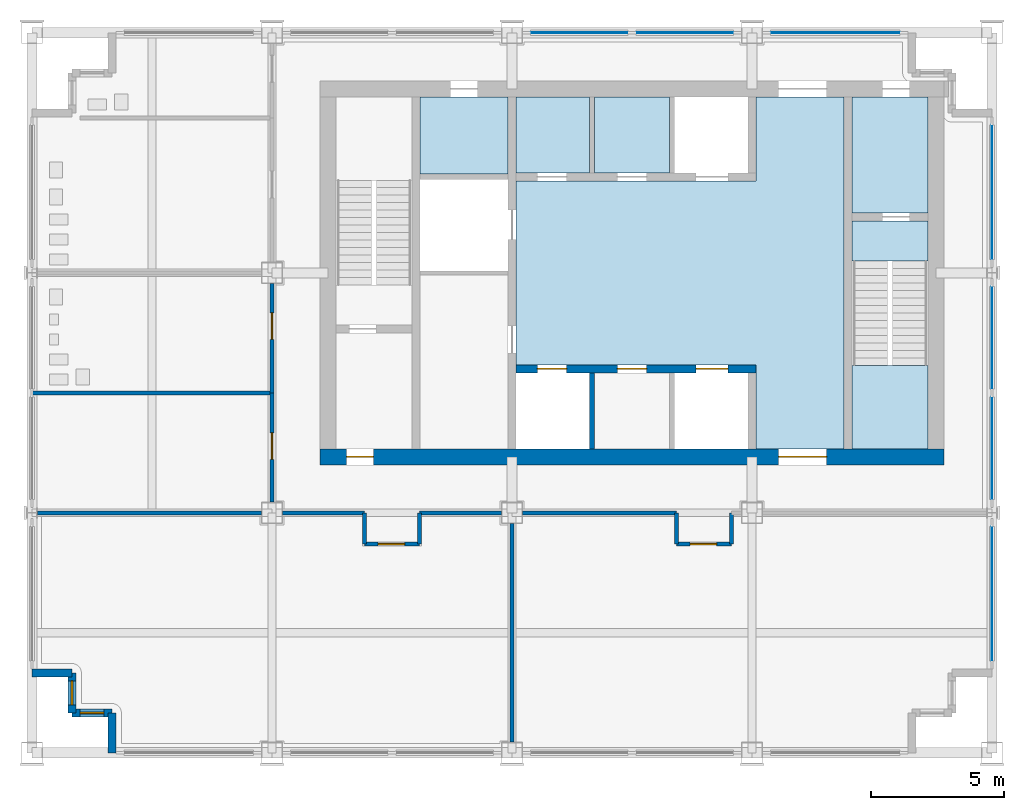
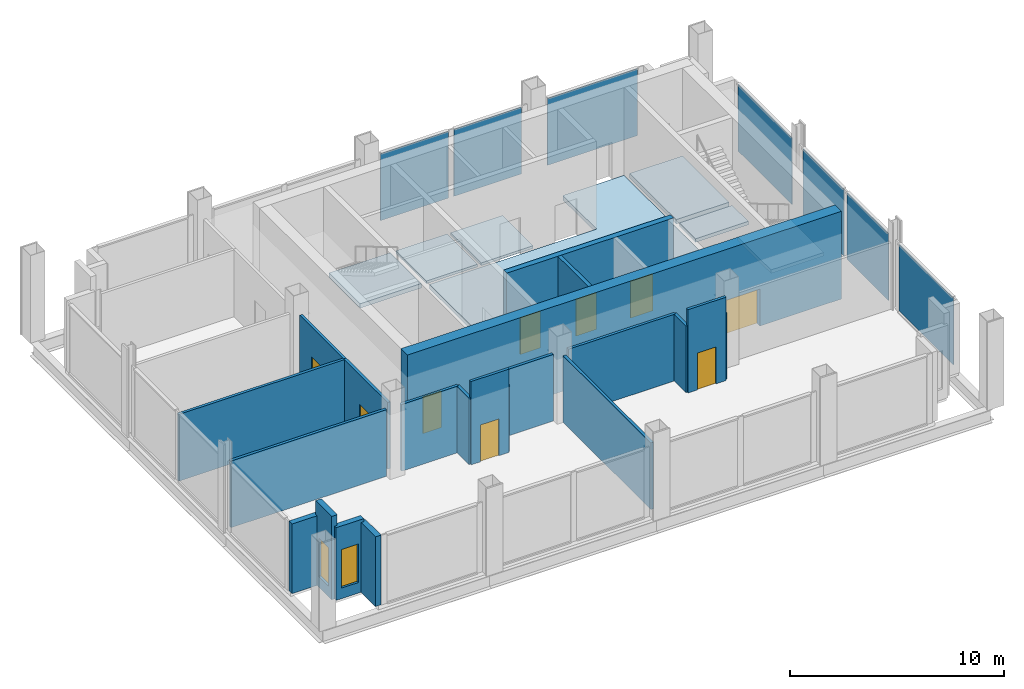
# One storey, part 3 of 7: 21 walls, 9 doors, 7 plates, 7 slabs, 2 windows, 11 openings, 6 elements without a shape of their own.
"""IFC4 building model written with IfcOpenShell, lengths in metres."""

import ifcopenshell
import ifcopenshell.guid

model = None  # the IFC model being written
_history = None  # IfcOwnerHistory: only IFC2X3 demands one
_inside = {}  # id of a spatial element -> (the spatial element, [elements in it])
_under = {}  # id of a project, library or spatial element -> (it, [spatial elements below it])
_declared = {}  # id of a project -> (the project, [libraries it declares])
_typed = {}  # id of a type object -> (the type object, [elements of that type])
_made_of = {}  # id of a material, layer set ... -> (it, [elements and type objects made of it])


def new_model(schema):
    """Start an empty IFC model of exactly this schema.

    Asked for "IFC4X3", IfcOpenShell would pick the latest addendum, in which some entities
    have other attributes; the version numbers below select the first issue.
    IFC2X3 requires an IfcOwnerHistory on every rooted entity: one is made here for all.
    """
    global model, _history
    if schema == "IFC4X3":
        model = ifcopenshell.file(schema_version=(4, 3, 0, 0))
    else:
        model = ifcopenshell.file(schema=schema)
    _inside.clear()
    _under.clear()
    _declared.clear()
    _typed.clear()
    _made_of.clear()
    _history = None
    if model.schema == "IFC2X3":
        org = make("IfcOrganization", Name="unknown")
        user = make(
            "IfcPersonAndOrganization",
            ThePerson=make("IfcPerson", FamilyName="unknown"),
            TheOrganization=org,
        )
        app = make(
            "IfcApplication",
            ApplicationDeveloper=org,
            Version="unknown",
            ApplicationFullName="unknown",
            ApplicationIdentifier="unknown",
        )
        _history = make(
            "IfcOwnerHistory",
            OwningUser=user,
            OwningApplication=app,
            ChangeAction="ADDED",
            CreationDate=0,
        )
    return model


def make(cls, **values):
    """One entity of the class cls with the attributes given. An attribute that is None is left unset."""
    return model.create_entity(
        cls, **{name: value for name, value in values.items() if value is not None}
    )


def rooted(cls, **values):
    """An entity with a GlobalId (a new one), such as an element, a storey or a relation."""
    return make(cls, GlobalId=ifcopenshell.guid.new(), OwnerHistory=_history, **values)


def si_unit(unit_type, name, prefix=None):
    """IfcSIUnit, for example si_unit("LENGTHUNIT", "METRE", prefix="MILLI")."""
    return make("IfcSIUnit", UnitType=unit_type, Prefix=prefix, Name=name)


def assignment(units):
    """IfcUnitAssignment: the units of a project."""
    return None if units is None else make("IfcUnitAssignment", Units=units)


def point(xyz):
    """IfcCartesianPoint."""
    return None if xyz is None else make("IfcCartesianPoint", Coordinates=xyz)


def direction(xyz):
    """IfcDirection."""
    return None if xyz is None else make("IfcDirection", DirectionRatios=xyz)


def frame(location, z_axis=None, x_axis=None):
    """IfcAxis2Placement3D, a coordinate frame: its origin and axes. An axis left out is left unset."""
    return make(
        "IfcAxis2Placement3D",
        Location=point(location),
        Axis=direction(z_axis),
        RefDirection=direction(x_axis),
    )


def frame_2d(location, x_axis=None):
    """IfcAxis2Placement2D, a coordinate frame in the plane: its origin and x axis."""
    return make(
        "IfcAxis2Placement2D", Location=point(location), RefDirection=direction(x_axis)
    )


def origin():
    """The frame at (0, 0, 0) with its axes left unset."""
    return frame((0.0, 0.0, 0.0))


def origin_2d():
    """The frame at (0, 0) in the plane with its x axis left unset."""
    return frame_2d((0.0, 0.0))


def place(relative_to, where):
    """IfcLocalPlacement: puts the frame where relative to a parent placement (None: the world)."""
    return make(
        "IfcLocalPlacement", PlacementRelTo=relative_to, RelativePlacement=where
    )


def context(
    kind, dimensions, precision=None, world=None, true_north=None, identifier=None
):
    """IfcGeometricRepresentationContext, for example the 3D "Model" context."""
    return make(
        "IfcGeometricRepresentationContext",
        ContextIdentifier=identifier,
        ContextType=kind,
        CoordinateSpaceDimension=dimensions,
        Precision=precision,
        WorldCoordinateSystem=world,
        TrueNorth=true_north,
    )


def subcontext(parent, identifier, kind, view, scale=None):
    """IfcGeometricRepresentationSubContext, for example "Body" below "Model"."""
    return make(
        "IfcGeometricRepresentationSubContext",
        ContextIdentifier=identifier,
        ContextType=kind,
        ParentContext=parent,
        TargetScale=scale,
        TargetView=view,
    )


def project(units=None, contexts=None):
    """IfcProject with its units and contexts."""
    return rooted(
        "IfcProject",
        Name="project",
        RepresentationContexts=contexts,
        UnitsInContext=assignment(units),
    )


def spatial(cls, under=None, at=None, **own):
    """A site, building, storey or space (cls), placed at a placement, below another one or the project."""
    s = rooted(cls, ObjectPlacement=at, **own)
    if under is not None:
        _under.setdefault(under.id(), (under, []))[1].append(s)
    return s


def polyline(points):
    """IfcPolyline through the points."""
    return make("IfcPolyline", Points=[point(p) for p in points])


def profile(cls, at=None, kind="AREA", **sizes):
    """A parametric profile (cls). Its sizes go by their IFC names, for example OverallWidth=200.0."""
    return make(cls, ProfileType=kind, Position=at, **sizes)


def rectangle(**sizes):
    """IfcRectangleProfileDef."""
    return profile("IfcRectangleProfileDef", **sizes)


def outline(outer, holes=None, kind="AREA"):
    """IfcArbitraryClosedProfileDef: a profile drawn as a closed curve; with holes, ...WithVoids."""
    if holes is None:
        return make("IfcArbitraryClosedProfileDef", ProfileType=kind, OuterCurve=outer)
    return make(
        "IfcArbitraryProfileDefWithVoids",
        ProfileType=kind,
        OuterCurve=outer,
        InnerCurves=holes,
    )


def extrude(swept, where, along, depth):
    """IfcExtrudedAreaSolid: the profile swept, set in the frame where, extruded along a direction by depth."""
    return make(
        "IfcExtrudedAreaSolid",
        SweptArea=swept,
        Position=where,
        ExtrudedDirection=direction(along),
        Depth=depth,
    )


def shape(context_of_items, identifier, shape_type, items):
    """IfcShapeRepresentation: the items that make up one representation, for example the "Body"."""
    return make(
        "IfcShapeRepresentation",
        ContextOfItems=context_of_items,
        RepresentationIdentifier=identifier,
        RepresentationType=shape_type,
        Items=items,
    )


def material(Name=None, Category=None):
    """IfcMaterial."""
    return make("IfcMaterial", Name=Name, Category=Category)


def layer(
    of_material, thickness, ventilated=None, Name=None, Category=None, Priority=None
):
    """IfcMaterialLayer: one layer of a wall or slab, of a material (None: an air gap)."""
    return make(
        "IfcMaterialLayer",
        Material=of_material,
        LayerThickness=thickness,
        IsVentilated=ventilated,
        Name=Name,
        Category=Category,
        Priority=Priority,
    )


def layer_set(layers, Name=None):
    """IfcMaterialLayerSet."""
    return make("IfcMaterialLayerSet", MaterialLayers=layers, LayerSetName=Name)


def made_of(thing, what):
    """Note that an element or type object is made of a material, layer set ...; save() writes the relation."""
    if what is not None:
        _made_of.setdefault(what.id(), (what, []))[1].append(thing)
    return thing


def type_object(cls, material=None, **own):
    """A type object (cls), such as IfcWallType, which elements share."""
    return made_of(rooted(cls, **own), material)


def element(
    cls,
    number,
    at=None,
    inside=None,
    cuts=None,
    type_object=None,
    material=None,
    context=None,
    identifier="Body",
    shape_type=None,
    held_by="IfcProductDefinitionShape",
    body=None,
    shapes=None,
    **own,
):
    """One element of the class cls, such as IfcWall. Its Tag is "e" and its number.

    at: its placement. inside: the storey or other place that contains it. cuts: it is an
    opening in that element (IfcRelVoidsElement). A single representation is given by context,
    identifier, shape_type and body (its items); several are given by shapes. held_by: the class
    of the entity that holds the representations. save() writes the other relations.
    """
    e = rooted(cls, Tag="e%d" % number, ObjectPlacement=at, **own)
    if body is not None:
        shapes = [shape(context, identifier, shape_type, body)]
    if shapes is not None:
        e.Representation = make(held_by, Representations=shapes)
    if inside is not None:
        _inside.setdefault(inside.id(), (inside, []))[1].append(e)
    if cuts is not None:
        rooted(
            "IfcRelVoidsElement", RelatingBuildingElement=cuts, RelatedOpeningElement=e
        )
    if type_object is not None:
        _typed.setdefault(type_object.id(), (type_object, []))[1].append(e)
    return made_of(e, material)


def fill(opening, filler):
    """IfcRelFillsElement: the door or window that sits in an opening."""
    return rooted(
        "IfcRelFillsElement",
        RelatingOpeningElement=opening,
        RelatedBuildingElement=filler,
    )


def aggregate(whole, parts):
    """IfcRelAggregates: a whole, such as a stair, and the parts it consists of."""
    return rooted("IfcRelAggregates", RelatingObject=whole, RelatedObjects=parts)


def save(model, path):
    """Write the relations noted so far, then the file.

    IfcRelAggregates (storeys below a building ...), IfcRelContainedInSpatialStructure (elements
    in a storey), IfcRelDefinesByType, IfcRelAssociatesMaterial and IfcRelDeclares: one each for
    every whole, place, type object, material and project.
    """
    for whole, parts in _under.values():
        aggregate(whole, parts)
    for where, things in _inside.values():
        rooted(
            "IfcRelContainedInSpatialStructure",
            RelatedElements=things,
            RelatingStructure=where,
        )
    for kind, things in _typed.values():
        rooted("IfcRelDefinesByType", RelatedObjects=things, RelatingType=kind)
    for what, things in _made_of.values():
        rooted("IfcRelAssociatesMaterial", RelatedObjects=things, RelatingMaterial=what)
    for by, libraries in _declared.values():
        rooted("IfcRelDeclares", RelatingContext=by, RelatedDefinitions=libraries)
    model.write(path)


model = new_model("IFC4")

# Units and contexts
model_context = context("Model", 3, precision=1e-05, world=origin(), true_north=direction((0.0, 1.0)))
body_context = subcontext(model_context, "Body", "Model", "MODEL_VIEW")
ifc_project = project(units=[si_unit("LENGTHUNIT", "METRE"), si_unit("AREAUNIT", "SQUARE_METRE"), si_unit("VOLUMEUNIT", "CUBIC_METRE"), si_unit("PLANEANGLEUNIT", "RADIAN"), si_unit("MASSUNIT", "GRAM", prefix="KILO")], contexts=[model_context])

# Site, building, storey
site_placement = place(None, origin())
site = spatial("IfcSite", under=ifc_project, at=site_placement, CompositionType="ELEMENT")
building_placement = place(site_placement, origin())
building = spatial("IfcBuilding", under=site, at=building_placement, Name="Loomwork Tower", CompositionType="ELEMENT")
storey_placement = place(building_placement, frame((0.0, 0.0, 269.800048828125)))
storey = spatial("IfcBuildingStorey", under=building, at=storey_placement, Name="L74", CompositionType="ELEMENT", Elevation=269.800048828125)

# Slabs
ifc_material_1 = material(Name="Concrete 5000 psi (34 MPa) on composite metal deck", Category="concrete")
ifc_layer_1 = layer(ifc_material_1, 0.25)
ifc_layer_set_1 = layer_set([ifc_layer_1], Name="Floor slab 250")
slab_type_1 = type_object("IfcSlabType", Name="Floor slab 250", PredefinedType="FLOOR", material=ifc_layer_set_1)
slab_1_placement = place(storey_placement, frame((0.0, 0.0, -0.25)))
element("IfcSlab", 1, at=slab_1_placement, inside=storey, type_object=slab_type_1, Name="Floor slab L74", PredefinedType="FLOOR", context=body_context, shape_type="SweptSolid", body=[
    extrude(outline(polyline([(30.449951171875, 24.60009765625), (30.449951171875, 11.39990234375), (27.14990234375, 11.39990234375), (27.14990234375, 14.25), (27.14990234375, 14.550048828125), (18.14990234375, 14.550048828125), (18.14990234375, 21.449951171875), (27.14990234375, 21.449951171875), (27.14990234375, 21.75), (27.14990234375, 24.60009765625), (30.449951171875, 24.60009765625)])), origin(), (0.0, 0.0, 1.0), 0.25),
])
slab_2_placement = place(storey_placement, frame((0.0, 0.0, -0.25)))
element("IfcSlab", 2, at=slab_2_placement, inside=storey, type_object=slab_type_1, Name="Floor slab L74", PredefinedType="FLOOR", context=body_context, shape_type="SweptSolid", body=[
    extrude(outline(polyline([(33.60009765625, 20.25), (30.75, 20.25), (30.75, 24.60009765625), (33.60009765625, 24.60009765625), (33.60009765625, 20.25)])), origin(), (0.0, 0.0, 1.0), 0.25),
])
slab_3_placement = place(storey_placement, frame((0.0, 0.0, -0.25)))
element("IfcSlab", 3, at=slab_3_placement, inside=storey, type_object=slab_type_1, Name="Floor slab L74", PredefinedType="FLOOR", context=body_context, shape_type="SweptSolid", body=[
    extrude(outline(polyline([(14.550048828125, 21.699951171875), (14.550048828125, 24.60009765625), (17.85009765625, 24.60009765625), (17.85009765625, 21.699951171875), (14.550048828125, 21.699951171875)])), origin(), (0.0, 0.0, 1.0), 0.25),
])
ifc_material_2 = material(Name="Concrete 5000 psi (34 MPa) on composite metal deck", Category="concrete")
ifc_layer_2 = layer(ifc_material_2, 0.14990234375)
ifc_layer_set_2 = layer_set([ifc_layer_2], Name="Shaft infill floor 150")
slab_type_2 = type_object("IfcSlabType", Name="Shaft infill floor 150", PredefinedType="FLOOR", material=ifc_layer_set_2)
slab_4_placement = place(storey_placement, frame((0.0, 0.0, -0.150146484375)))
element("IfcSlab", 4, at=slab_4_placement, inside=storey, type_object=slab_type_2, Name="Shaft infill floor LS1 L74", PredefinedType="FLOOR", context=body_context, shape_type="SweptSolid", body=[
    extrude(outline(polyline([(18.14990234375, 21.75), (20.89990234375, 21.75), (20.89990234375, 24.60009765625), (18.14990234375, 24.60009765625), (18.14990234375, 21.75)])), origin(), (0.0, 0.0, 1.0), 0.150146484375),
])
slab_5_placement = place(storey_placement, frame((0.0, 0.0, -0.150146484375)))
element("IfcSlab", 5, at=slab_5_placement, inside=storey, type_object=slab_type_2, Name="Shaft infill floor LS2 L74", PredefinedType="FLOOR", context=body_context, shape_type="SweptSolid", body=[
    extrude(outline(polyline([(21.10009765625, 21.75), (23.89990234375, 21.75), (23.89990234375, 24.60009765625), (21.10009765625, 24.60009765625), (21.10009765625, 21.75)])), origin(), (0.0, 0.0, 1.0), 0.150146484375),
])

# Curtain wall, plates
ifc_material_3 = material(Name="Aluminium curtain wall frame", Category="aluminium")
curtain_wall_type = type_object("IfcCurtainWallType", Name="Sky bar glazing", PredefinedType="NOTDEFINED", material=ifc_material_3)
curtain_wall_1_placement = place(storey_placement, origin())
curtain_wall_1 = element("IfcCurtainWall", 6, at=curtain_wall_1_placement, inside=storey, type_object=curtain_wall_type, Name="Sky bar glazing cw/N-18", PredefinedType="NOTDEFINED")
ifc_material_4 = material(Name="Clear insulated glass", Category="glass")
ifc_layer_3 = layer(ifc_material_4, 0.031982421875)
ifc_layer_set_3 = layer_set([ifc_layer_3], Name="Sky bar glazing panel")
plate_type = type_object("IfcPlateType", Name="Sky bar glazing panel", PredefinedType="CURTAIN_PANEL", material=ifc_layer_set_3)
plate_1_placement = place(storey_placement, frame((24.47509765625, 27.0, 0.080078125), z_axis=(0.0, 0.0, 1.0), x_axis=(-1.0, 0.0, 0.0)))
plate_1 = element("IfcPlate", 7, at=plate_1_placement, type_object=plate_type, Name="CW5 panel 1.1", PredefinedType="CURTAIN_PANEL", context=body_context, shape_type="SweptSolid", body=[
    extrude(rectangle(XDim=3.64990234375, YDim=0.031982421875, at=origin_2d()), origin(), (0.0, 0.0, 1.0), 3.810302734375),
])
plate_2_placement = place(storey_placement, frame((20.52490234375, 27.0, 0.080078125), z_axis=(0.0, 0.0, 1.0), x_axis=(-1.0, 0.0, 0.0)))
plate_2 = element("IfcPlate", 8, at=plate_2_placement, type_object=plate_type, Name="CW5 panel 2.1", PredefinedType="CURTAIN_PANEL", context=body_context, shape_type="SweptSolid", body=[
    extrude(rectangle(XDim=3.64990234375, YDim=0.031982421875, at=origin_2d()), origin(), (0.0, 0.0, 1.0), 3.810302734375),
])
aggregate(curtain_wall_1, [plate_1, plate_2])

# Curtain wall, plate
curtain_wall_2_placement = place(storey_placement, origin())
curtain_wall_2 = element("IfcCurtainWall", 9, at=curtain_wall_2_placement, inside=storey, type_object=curtain_wall_type, Name="Sky bar glazing cw/N-27", PredefinedType="NOTDEFINED")
plate_3_placement = place(storey_placement, frame((30.125, 27.0, 0.080078125), z_axis=(0.0, 0.0, 1.0), x_axis=(-1.0, 0.0, 0.0)))
plate_3 = element("IfcPlate", 10, at=plate_3_placement, type_object=plate_type, Name="CW5 panel 1.1", PredefinedType="CURTAIN_PANEL", context=body_context, shape_type="SweptSolid", body=[
    extrude(rectangle(XDim=4.85009765625, YDim=0.031982421875, at=origin_2d()), origin(), (0.0, 0.0, 1.0), 3.810302734375),
])
aggregate(curtain_wall_2, [plate_3])

curtain_wall_3_placement = place(storey_placement, origin())
curtain_wall_3 = element("IfcCurtainWall", 11, at=curtain_wall_3_placement, inside=storey, type_object=curtain_wall_type, Name="Sky bar glazing cw/E-0", PredefinedType="NOTDEFINED")
plate_4_placement = place(storey_placement, frame((36.0, 5.97265625, 0.080078125), z_axis=(0.0, 0.0, 1.0), x_axis=(0.0, 1.0, 0.0)))
plate_4 = element("IfcPlate", 12, at=plate_4_placement, type_object=plate_type, Name="CW5 panel 1.1", PredefinedType="CURTAIN_PANEL", context=body_context, shape_type="SweptSolid", body=[
    extrude(rectangle(XDim=5.04541015625, YDim=0.031982421875, at=origin_2d()), origin(), (0.0, 0.0, 1.0), 3.810302734375),
])
aggregate(curtain_wall_3, [plate_4])

# Curtain wall, plates
curtain_wall_4_placement = place(storey_placement, origin())
curtain_wall_4 = element("IfcCurtainWall", 13, at=curtain_wall_4_placement, inside=storey, type_object=curtain_wall_type, Name="Sky bar glazing cw/E-9", PredefinedType="NOTDEFINED")
plate_5_placement = place(storey_placement, frame((36.0, 11.42724609375, 0.080078125), z_axis=(0.0, 0.0, 1.0), x_axis=(0.0, 1.0, 0.0)))
plate_5 = element("IfcPlate", 14, at=plate_5_placement, type_object=plate_type, Name="CW5 panel 1.1", PredefinedType="CURTAIN_PANEL", context=body_context, shape_type="SweptSolid", body=[
    extrude(rectangle(XDim=3.845458984375, YDim=0.031982421875, at=origin_2d()), origin(), (0.0, 0.0, 1.0), 3.810302734375),
])
plate_6_placement = place(storey_placement, frame((36.0, 15.57275390625, 0.080078125), z_axis=(0.0, 0.0, 1.0), x_axis=(0.0, 1.0, 0.0)))
plate_6 = element("IfcPlate", 15, at=plate_6_placement, type_object=plate_type, Name="CW5 panel 2.1", PredefinedType="CURTAIN_PANEL", context=body_context, shape_type="SweptSolid", body=[
    extrude(rectangle(XDim=3.845458984375, YDim=0.031982421875, at=origin_2d()), origin(), (0.0, 0.0, 1.0), 3.810302734375),
])
aggregate(curtain_wall_4, [plate_5, plate_6])

# Curtain wall, plate
curtain_wall_5_placement = place(storey_placement, origin())
curtain_wall_5 = element("IfcCurtainWall", 16, at=curtain_wall_5_placement, inside=storey, type_object=curtain_wall_type, Name="Sky bar glazing cw/E-18", PredefinedType="NOTDEFINED")
plate_7_placement = place(storey_placement, frame((36.0, 21.02734375, 0.080078125), z_axis=(0.0, 0.0, 1.0), x_axis=(0.0, 1.0, 0.0)))
plate_7 = element("IfcPlate", 17, at=plate_7_placement, type_object=plate_type, Name="CW5 panel 1.1", PredefinedType="CURTAIN_PANEL", context=body_context, shape_type="SweptSolid", body=[
    extrude(rectangle(XDim=5.04541015625, YDim=0.031982421875, at=origin_2d()), origin(), (0.0, 0.0, 1.0), 3.810302734375),
])
aggregate(curtain_wall_5, [plate_7])

# Stair, slabs
ifc_material_5 = material(Name="Concrete 5000 psi (34 MPa) precast stair", Category="concrete")
stair_type = type_object("IfcStairType", Name="Stair ST-B 30 risers 2850 wide", PredefinedType="HALF_TURN_STAIR", material=ifc_material_5)
stair_placement = place(storey_placement, origin())
stair = element("IfcStair", 18, at=stair_placement, inside=storey, type_object=stair_type, Name="Stair B L74", PredefinedType="HALF_TURN_STAIR")
ifc_material_6 = material(Name="Concrete 5000 psi (34 MPa)", Category="concrete")
ifc_layer_4 = layer(ifc_material_6, 0.199951171875)
ifc_layer_set_4 = layer_set([ifc_layer_4], Name="Stair landing 200")
slab_type_3 = type_object("IfcSlabType", Name="Stair landing 200", PredefinedType="LANDING", material=ifc_layer_set_4)
slab_6_placement = place(storey_placement, frame((0.0, 0.0, -0.199951171875)))
slab_6 = element("IfcSlab", 19, at=slab_6_placement, type_object=slab_type_3, Name="ST-B landing 1", PredefinedType="LANDING", context=body_context, shape_type="SweptSolid", body=[
    extrude(outline(polyline([(30.75, 18.449951171875), (33.60009765625, 18.449951171875), (33.60009765625, 19.949951171875), (30.75, 19.949951171875), (30.75, 18.449951171875)])), origin(), (0.0, 0.0, 1.0), 0.199951171875),
])
slab_7_placement = place(storey_placement, frame((0.0, 0.0, 2.300048828125)))
slab_7 = element("IfcSlab", 20, at=slab_7_placement, type_object=slab_type_3, Name="ST-B landing 2", PredefinedType="LANDING", context=body_context, shape_type="SweptSolid", body=[
    extrude(outline(polyline([(30.75, 11.39990234375), (33.60009765625, 11.39990234375), (33.60009765625, 14.530029296875), (30.75, 14.530029296875), (30.75, 11.39990234375)])), origin(), (0.0, 0.0, 1.0), 0.199951171875),
])
aggregate(stair, [slab_6, slab_7])

# Wall, openings, doors
ifc_material_7 = material(Name="Concrete 14000 psi (97 MPa)", Category="concrete")
ifc_layer_5 = layer(ifc_material_7, 0.300048828125)
ifc_layer_set_5 = layer_set([ifc_layer_5], Name="Core shear wall 300")
wall_type_1 = type_object("IfcWallType", Name="Core shear wall 300", PredefinedType="SHEAR", material=ifc_layer_set_5)
wall_1_placement = place(storey_placement, frame((18.14990234375, 14.39990234375, 0.0), z_axis=(0.0, 0.0, 1.0), x_axis=(1.0, 0.0, 0.0)))
wall_1 = element("IfcWall", 21, at=wall_1_placement, inside=storey, type_object=wall_type_1, Name="Lift front wall south L74", PredefinedType="SHEAR", context=body_context, shape_type="SweptSolid", body=[
    extrude(rectangle(XDim=9.0, YDim=0.300048828125, at=frame_2d((4.5, 0.0))), origin(), (0.0, 0.0, 1.0), 5.0),
])
opening_1_placement = place(wall_1_placement, frame((0.800048828125, 0.0, 0.0)))
opening_1 = element("IfcOpeningElement", 22, at=opening_1_placement, cuts=wall_1, Name="Opening LD1", PredefinedType="OPENING", context=body_context, shape_type="SweptSolid", body=[
    extrude(rectangle(XDim=1.10009765625, YDim=2.10009765625, at=frame_2d((0.550048828125, 1.050048828125))), frame((0.0, 0.159912109375, 0.0), z_axis=(0.0, -1.0, 0.0), x_axis=(1.0, 0.0, 0.0)), (0.0, 0.0, 1.0), 0.320068359375),
])
opening_2_placement = place(wall_1_placement, frame((6.75, 0.0, 0.0)))
opening_2 = element("IfcOpeningElement", 23, at=opening_2_placement, cuts=wall_1, Name="Opening LD2", PredefinedType="OPENING", context=body_context, shape_type="SweptSolid", body=[
    extrude(rectangle(XDim=1.199951171875, YDim=2.10009765625, at=frame_2d((0.60009765625, 1.050048828125))), frame((0.0, 0.159912109375, 0.0), z_axis=(0.0, -1.0, 0.0), x_axis=(1.0, 0.0, 0.0)), (0.0, 0.0, 1.0), 0.320068359375),
])
opening_3_placement = place(wall_1_placement, frame((3.800048828125, 0.0, 0.0)))
opening_3 = element("IfcOpeningElement", 24, at=opening_3_placement, cuts=wall_1, Name="Opening D17", PredefinedType="OPENING", context=body_context, shape_type="SweptSolid", body=[
    extrude(rectangle(XDim=1.10009765625, YDim=2.10009765625, at=frame_2d((0.550048828125, 1.050048828125))), frame((0.0, 0.159912109375, 0.0), z_axis=(0.0, -1.0, 0.0), x_axis=(1.0, 0.0, 0.0)), (0.0, 0.0, 1.0), 0.320068359375),
])
ifc_material_8 = material(Name="Hollow metal door and frame")
door_type_1 = type_object("IfcDoorType", Name="Lift landing door 1100", OperationType="SLIDING_TO_LEFT", PredefinedType="DOOR", material=ifc_material_8)
door_1_placement = place(opening_1_placement, origin())
door_1 = element("IfcDoor", 25, at=door_1_placement, inside=storey, type_object=door_type_1, Name="Lift landing door LC1", OperationType="SLIDING_TO_LEFT", OverallHeight=2.10009765625, OverallWidth=1.10009765625, PredefinedType="DOOR", context=body_context, shape_type="SweptSolid", body=[
    extrude(rectangle(XDim=1.10009765625, YDim=2.10009765625, at=frame_2d((0.550048828125, 1.050048828125))), frame((0.0, 0.02490234375, 0.0), z_axis=(0.0, -1.0, 0.0), x_axis=(1.0, 0.0, 0.0)), (0.0, 0.0, 1.0), 0.050048828125),
])
fill(opening_1, door_1)
ifc_material_9 = material(Name="Hollow metal door and frame")
door_type_2 = type_object("IfcDoorType", Name="Lift landing door 1200", OperationType="SLIDING_TO_LEFT", PredefinedType="DOOR", material=ifc_material_9)
door_2_placement = place(opening_2_placement, origin())
door_2 = element("IfcDoor", 26, at=door_2_placement, inside=storey, type_object=door_type_2, Name="Lift landing door LF1", OperationType="SLIDING_TO_LEFT", OverallHeight=2.10009765625, OverallWidth=1.199951171875, PredefinedType="DOOR", context=body_context, shape_type="SweptSolid", body=[
    extrude(rectangle(XDim=1.199951171875, YDim=2.10009765625, at=frame_2d((0.60009765625, 1.050048828125))), frame((0.0, 0.02490234375, 0.0), z_axis=(0.0, -1.0, 0.0), x_axis=(1.0, 0.0, 0.0)), (0.0, 0.0, 1.0), 0.050048828125),
])
fill(opening_2, door_2)
ifc_material_10 = material(Name="Hollow metal door and frame")
door_type_3 = type_object("IfcDoorType", Name="Service room door 1100", OperationType="SINGLE_SWING_LEFT", PredefinedType="DOOR", material=ifc_material_10)
door_3_placement = place(opening_3_placement, frame((1.10009765625, 0.0, 0.0), z_axis=(0.0, 0.0, 1.0), x_axis=(-1.0, 0.0, 0.0)))
door_3 = element("IfcDoor", 27, at=door_3_placement, inside=storey, type_object=door_type_3, Name="Linen and housekeeping store door L74", OperationType="SINGLE_SWING_RIGHT", OverallHeight=2.10009765625, OverallWidth=1.10009765625, PredefinedType="DOOR", context=body_context, shape_type="SweptSolid", body=[
    extrude(rectangle(XDim=1.10009765625, YDim=2.10009765625, at=frame_2d((0.550048828125, 1.050048828125))), frame((0.0, 0.02490234375, 0.0), z_axis=(0.0, -1.0, 0.0), x_axis=(1.0, 0.0, 0.0)), (0.0, 0.0, 1.0), 0.050048828125),
])
fill(opening_3, door_3)

ifc_material_11 = material(Name="Concrete 14000 psi (97 MPa)", Category="concrete")
ifc_layer_6 = layer(ifc_material_11, 0.60009765625)
ifc_layer_set_6 = layer_set([ifc_layer_6], Name="Core shear wall 600")
wall_type_2 = type_object("IfcWallType", Name="Core shear wall 600", PredefinedType="SHEAR", material=ifc_layer_set_6)
wall_2_placement = place(storey_placement, frame((10.800048828125, 11.10009765625, 0.0), z_axis=(0.0, 0.0, 1.0), x_axis=(1.0, 0.0, 0.0)))
wall_2 = element("IfcWall", 28, at=wall_2_placement, inside=storey, type_object=wall_type_2, Name="Core wall south L74", PredefinedType="SHEAR", context=body_context, shape_type="SweptSolid", body=[
    extrude(rectangle(XDim=23.39990234375, YDim=0.60009765625, at=frame_2d((11.699951171875, 0.0))), origin(), (0.0, 0.0, 1.0), 5.0),
])
opening_4_placement = place(wall_2_placement, frame((1.0, 0.0, 0.0)))
opening_4 = element("IfcOpeningElement", 29, at=opening_4_placement, cuts=wall_2, Name="Opening D4", PredefinedType="OPENING", context=body_context, shape_type="SweptSolid", body=[
    extrude(rectangle(XDim=1.0, YDim=2.10009765625, at=frame_2d((0.5, 1.050048828125))), frame((0.0, 0.31005859375, 0.0), z_axis=(0.0, -1.0, 0.0), x_axis=(1.0, 0.0, 0.0)), (0.0, 0.0, 1.0), 0.6201171875),
])
opening_5_placement = place(wall_2_placement, frame((17.199951171875, 0.0, 0.0)))
opening_5 = element("IfcOpeningElement", 30, at=opening_5_placement, cuts=wall_2, Name="Opening D6", PredefinedType="OPENING", context=body_context, shape_type="SweptSolid", body=[
    extrude(rectangle(XDim=1.800048828125, YDim=2.10009765625, at=frame_2d((0.89990234375, 1.050048828125))), frame((0.0, 0.31005859375, 0.0), z_axis=(0.0, -1.0, 0.0), x_axis=(1.0, 0.0, 0.0)), (0.0, 0.0, 1.0), 0.6201171875),
])
ifc_material_12 = material(Name="Hollow metal door and frame")
door_type_4 = type_object("IfcDoorType", Name="Lobby passage double door 1800", OperationType="DOUBLE_DOOR_SINGLE_SWING", PredefinedType="DOOR", material=ifc_material_12)
door_4_placement = place(opening_5_placement, origin())
door_4 = element("IfcDoor", 31, at=door_4_placement, inside=storey, type_object=door_type_4, Name="Lobby passage door south", OperationType="DOUBLE_DOOR_SINGLE_SWING", OverallHeight=2.10009765625, OverallWidth=1.800048828125, PredefinedType="DOOR", context=body_context, shape_type="SweptSolid", body=[
    extrude(rectangle(XDim=1.800048828125, YDim=2.10009765625, at=frame_2d((0.89990234375, 1.050048828125))), frame((0.0, 0.02490234375, 0.0), z_axis=(0.0, -1.0, 0.0), x_axis=(1.0, 0.0, 0.0)), (0.0, 0.0, 1.0), 0.050048828125),
])
fill(opening_5, door_4)
ifc_material_13 = material(Name="Hollow metal door and frame")
door_type_5 = type_object("IfcDoorType", Name="Stair door 1000", OperationType="SINGLE_SWING_RIGHT", PredefinedType="DOOR", material=ifc_material_13)
door_5_placement = place(opening_4_placement, origin())
door_5 = element("IfcDoor", 32, at=door_5_placement, inside=storey, type_object=door_type_5, Name="Stair A vestibule door", OperationType="SINGLE_SWING_LEFT", OverallHeight=2.10009765625, OverallWidth=1.0, PredefinedType="DOOR", context=body_context, shape_type="SweptSolid", body=[
    extrude(rectangle(XDim=1.0, YDim=2.10009765625, at=frame_2d((0.5, 1.050048828125))), frame((0.0, 0.02490234375, 0.0), z_axis=(0.0, -1.0, 0.0), x_axis=(1.0, 0.0, 0.0)), (0.0, 0.0, 1.0), 0.050048828125),
])
fill(opening_4, door_5)

# Walls
ifc_material_14 = material(Name="Concrete 14000 psi (97 MPa)", Category="concrete")
ifc_layer_7 = layer(ifc_material_14, 0.199951171875)
ifc_layer_set_7 = layer_set([ifc_layer_7], Name="Lift shaft wall 200")
wall_type_3 = type_object("IfcWallType", Name="Lift shaft wall 200", PredefinedType="SHEAR", material=ifc_layer_set_7)
wall_3_placement = place(storey_placement, frame((21.0, 11.39990234375, 0.0), z_axis=(0.0, 0.0, 1.0), x_axis=(0.0, 1.0, 0.0)))
element("IfcWall", 33, at=wall_3_placement, inside=storey, type_object=wall_type_3, Name="Lift shaft separation wall south 1 L74", PredefinedType="SHEAR", context=body_context, shape_type="SweptSolid", body=[
    extrude(rectangle(XDim=2.85009765625, YDim=0.199951171875, at=frame_2d((1.425048828125, 0.0))), origin(), (0.0, 0.0, 1.0), 5.0),
])
ifc_material_15 = material(Name="Limestone on concrete masonry", Category="masonry")
ifc_layer_8 = layer(ifc_material_15, 0.300048828125)
ifc_layer_set_8 = layer_set([ifc_layer_8], Name="Limestone corner wall 300")
wall_type_4 = type_object("IfcWallType", Name="Limestone corner wall 300", PredefinedType="SOLIDWALL", material=ifc_layer_set_8)
wall_4_placement = place(storey_placement, frame((0.0, 3.0, 0.0), z_axis=(0.0, 0.0, 1.0), x_axis=(1.0, 0.0, 0.0)))
element("IfcWall", 34, at=wall_4_placement, inside=storey, type_object=wall_type_4, Name="Stone corner wall SW 1", PredefinedType="SOLIDWALL", context=body_context, shape_type="SweptSolid", body=[
    extrude(rectangle(XDim=1.5, YDim=0.300048828125, at=frame_2d((0.75, 0.0))), origin(), (0.0, 0.0, 1.0), 3.969970703125),
])

# Wall, opening, window
wall_5_placement = place(storey_placement, frame((1.5, 3.0, 0.0), z_axis=(0.0, 0.0, 1.0), x_axis=(0.0, -1.0, 0.0)))
wall_5 = element("IfcWall", 35, at=wall_5_placement, inside=storey, type_object=wall_type_4, Name="Stone corner wall SW 2", PredefinedType="SOLIDWALL", context=body_context, shape_type="SweptSolid", body=[
    extrude(rectangle(XDim=1.5, YDim=0.300048828125, at=frame_2d((0.75, 0.0))), origin(), (0.0, 0.0, 1.0), 4.75),
])
opening_6_placement = place(wall_5_placement, frame((0.300048828125, 0.0, 0.60009765625)))
opening_6 = element("IfcOpeningElement", 36, at=opening_6_placement, cuts=wall_5, Name="Opening CH2", PredefinedType="OPENING", context=body_context, shape_type="SweptSolid", body=[
    extrude(rectangle(XDim=0.89990234375, YDim=2.199951171875, at=frame_2d((0.449951171875, 1.10009765625))), frame((0.0, 0.159912109375, 0.0), z_axis=(0.0, -1.0, 0.0), x_axis=(1.0, 0.0, 0.0)), (0.0, 0.0, 1.0), 0.320068359375),
])
ifc_material_16 = material(Name="Aluminium frame with clear insulated glass", Category="aluminium")
window_type = type_object("IfcWindowType", Name="Corner window 900", PartitioningType="SINGLE_PANEL", PredefinedType="WINDOW", material=ifc_material_16)
window_1_placement = place(opening_6_placement, origin())
window_1 = element("IfcWindow", 37, at=window_1_placement, inside=storey, type_object=window_type, Name="Corner window SW", OverallHeight=2.199951171875, OverallWidth=0.89990234375, PartitioningType="SINGLE_PANEL", PredefinedType="WINDOW", context=body_context, shape_type="SweptSolid", body=[
    extrude(rectangle(XDim=0.89990234375, YDim=2.199951171875, at=frame_2d((0.449951171875, 1.10009765625))), frame((0.0, 0.030029296875, 0.0), z_axis=(0.0, -1.0, 0.0), x_axis=(1.0, 0.0, 0.0)), (0.0, 0.0, 1.0), 0.06005859375),
])
fill(opening_6, window_1)

wall_6_placement = place(storey_placement, frame((1.5, 1.5, 0.0), z_axis=(0.0, 0.0, 1.0), x_axis=(1.0, 0.0, 0.0)))
wall_6 = element("IfcWall", 38, at=wall_6_placement, inside=storey, type_object=wall_type_4, Name="Stone corner wall SW 3", PredefinedType="SOLIDWALL", context=body_context, shape_type="SweptSolid", body=[
    extrude(rectangle(XDim=1.5, YDim=0.300048828125, at=frame_2d((0.75, 0.0))), origin(), (0.0, 0.0, 1.0), 4.141845703125),
])
opening_7_placement = place(wall_6_placement, frame((0.300048828125, 0.0, 0.60009765625)))
opening_7 = element("IfcOpeningElement", 39, at=opening_7_placement, cuts=wall_6, Name="Opening CH2", PredefinedType="OPENING", context=body_context, shape_type="SweptSolid", body=[
    extrude(rectangle(XDim=0.89990234375, YDim=2.199951171875, at=frame_2d((0.449951171875, 1.10009765625))), frame((0.0, 0.159912109375, 0.0), z_axis=(0.0, -1.0, 0.0), x_axis=(1.0, 0.0, 0.0)), (0.0, 0.0, 1.0), 0.320068359375),
])
window_2_placement = place(opening_7_placement, origin())
window_2 = element("IfcWindow", 40, at=window_2_placement, inside=storey, type_object=window_type, Name="Corner window SW", OverallHeight=2.199951171875, OverallWidth=0.89990234375, PartitioningType="SINGLE_PANEL", PredefinedType="WINDOW", context=body_context, shape_type="SweptSolid", body=[
    extrude(rectangle(XDim=0.89990234375, YDim=2.199951171875, at=frame_2d((0.449951171875, 1.10009765625))), frame((0.0, 0.030029296875, 0.0), z_axis=(0.0, -1.0, 0.0), x_axis=(1.0, 0.0, 0.0)), (0.0, 0.0, 1.0), 0.06005859375),
])
fill(opening_7, window_2)

# Walls
wall_7_placement = place(storey_placement, frame((3.0, 1.5, 0.0), z_axis=(0.0, 0.0, 1.0), x_axis=(0.0, -1.0, 0.0)))
element("IfcWall", 41, at=wall_7_placement, inside=storey, type_object=wall_type_4, Name="Stone corner wall SW 4", PredefinedType="SOLIDWALL", context=body_context, shape_type="SweptSolid", body=[
    extrude(rectangle(XDim=1.5, YDim=0.300048828125, at=frame_2d((0.75, 0.0))), origin(), (0.0, 0.0, 1.0), 3.969970703125),
])
ifc_material_17 = material(Name="Gypsum board on steel studs, one-hour", Category="steel")
ifc_layer_9 = layer(ifc_material_17, 0.14990234375)
ifc_layer_set_9 = layer_set([ifc_layer_9], Name="Partition 150")
wall_type_5 = type_object("IfcWallType", Name="Partition 150", PredefinedType="PARTITIONING", material=ifc_layer_set_9)
wall_8_placement = place(storey_placement, frame((0.212158203125, 9.0, 0.0), z_axis=(0.0, 0.0, 1.0), x_axis=(1.0, 0.0, 0.0)))
element("IfcWall", 42, at=wall_8_placement, inside=storey, type_object=wall_type_5, Name="Partition L74 1.1", PredefinedType="PARTITIONING", context=body_context, shape_type="SweptSolid", body=[
    extrude(rectangle(XDim=8.387939453125, YDim=0.14990234375, at=frame_2d((4.19384765625, 0.0))), origin(), (0.0, 0.0, 1.0), 3.802490234375),
])
wall_9_placement = place(storey_placement, frame((0.0, 13.5, 0.0), z_axis=(0.0, 0.0, 1.0), x_axis=(1.0, 0.0, 0.0)))
element("IfcWall", 43, at=wall_9_placement, inside=storey, type_object=wall_type_5, Name="Partition L74 2.1", PredefinedType="PARTITIONING", context=body_context, shape_type="SweptSolid", body=[
    extrude(rectangle(XDim=9.0, YDim=0.14990234375, at=frame_2d((4.5, 0.0))), origin(), (0.0, 0.0, 1.0), 3.802001953125),
])
wall_10_placement = place(storey_placement, frame((9.39990234375, 9.0, 0.0), z_axis=(0.0, 0.0, 1.0), x_axis=(1.0, 0.0, 0.0)))
element("IfcWall", 44, at=wall_10_placement, inside=storey, type_object=wall_type_5, Name="Partition L74 5.1", PredefinedType="PARTITIONING", context=body_context, shape_type="SweptSolid", body=[
    extrude(rectangle(XDim=3.0751953125, YDim=0.14990234375, at=frame_2d((1.53759765625, 0.0))), origin(), (0.0, 0.0, 1.0), 3.802490234375),
])

# Wall, opening, door
wall_11_placement = place(storey_placement, frame((9.0, 13.5, 0.0), z_axis=(0.0, 0.0, 1.0), x_axis=(0.0, -1.0, 0.0)))
wall_11 = element("IfcWall", 45, at=wall_11_placement, inside=storey, type_object=wall_type_5, Name="Partition L74 6.1", PredefinedType="PARTITIONING", context=body_context, shape_type="SweptSolid", body=[
    extrude(rectangle(XDim=4.10009765625, YDim=0.14990234375, at=frame_2d((2.050048828125, 0.0))), origin(), (0.0, 0.0, 1.0), 3.802490234375),
])
opening_8_placement = place(wall_11_placement, frame((1.5, 0.0, 0.0)))
opening_8 = element("IfcOpeningElement", 46, at=opening_8_placement, cuts=wall_11, Name="Opening D7", PredefinedType="OPENING", context=body_context, shape_type="SweptSolid", body=[
    extrude(rectangle(XDim=1.0, YDim=2.10009765625, at=frame_2d((0.5, 1.050048828125))), frame((0.0, 0.0849609375, 0.0), z_axis=(0.0, -1.0, 0.0), x_axis=(1.0, 0.0, 0.0)), (0.0, 0.0, 1.0), 0.169921875),
])
ifc_material_18 = material(Name="Hollow metal door and frame")
door_type_6 = type_object("IfcDoorType", Name="Room door 1000", OperationType="SINGLE_SWING_LEFT", PredefinedType="DOOR", material=ifc_material_18)
door_6_placement = place(opening_8_placement, frame((1.0, 0.0, 0.0), z_axis=(0.0, 0.0, 1.0), x_axis=(-1.0, 0.0, 0.0)))
door_6 = element("IfcDoor", 47, at=door_6_placement, inside=storey, type_object=door_type_6, Name="Private dining room door", OperationType="SINGLE_SWING_RIGHT", OverallHeight=2.10009765625, OverallWidth=1.0, PredefinedType="DOOR", context=body_context, shape_type="SweptSolid", body=[
    extrude(rectangle(XDim=1.0, YDim=2.10009765625, at=frame_2d((0.5, 1.050048828125))), frame((0.0, 0.02490234375, 0.0), z_axis=(0.0, -1.0, 0.0), x_axis=(1.0, 0.0, 0.0)), (0.0, 0.0, 1.0), 0.050048828125),
])
fill(opening_8, door_6)

wall_12_placement = place(storey_placement, frame((9.0, 17.60009765625, 0.0), z_axis=(0.0, 0.0, 1.0), x_axis=(0.0, -1.0, 0.0)))
wall_12 = element("IfcWall", 48, at=wall_12_placement, inside=storey, type_object=wall_type_5, Name="Partition L74 7.1", PredefinedType="PARTITIONING", context=body_context, shape_type="SweptSolid", body=[
    extrude(rectangle(XDim=4.10009765625, YDim=0.14990234375, at=frame_2d((2.050048828125, 0.0))), origin(), (0.0, 0.0, 1.0), 3.802490234375),
])
opening_9_placement = place(wall_12_placement, frame((1.10009765625, 0.0, 0.0)))
opening_9 = element("IfcOpeningElement", 49, at=opening_9_placement, cuts=wall_12, Name="Opening D8", PredefinedType="OPENING", context=body_context, shape_type="SweptSolid", body=[
    extrude(rectangle(XDim=1.0, YDim=2.10009765625, at=frame_2d((0.5, 1.050048828125))), frame((0.0, 0.0849609375, 0.0), z_axis=(0.0, -1.0, 0.0), x_axis=(1.0, 0.0, 0.0)), (0.0, 0.0, 1.0), 0.169921875),
])
ifc_material_19 = material(Name="Hollow metal door and frame")
door_type_7 = type_object("IfcDoorType", Name="WC door 1000", OperationType="SINGLE_SWING_LEFT", PredefinedType="DOOR", material=ifc_material_19)
door_7_placement = place(opening_9_placement, frame((1.0, 0.0, 0.0), z_axis=(0.0, 0.0, 1.0), x_axis=(-1.0, 0.0, 0.0)))
door_7 = element("IfcDoor", 50, at=door_7_placement, inside=storey, type_object=door_type_7, Name="Public WC men door", OperationType="SINGLE_SWING_RIGHT", OverallHeight=2.10009765625, OverallWidth=1.0, PredefinedType="DOOR", context=body_context, shape_type="SweptSolid", body=[
    extrude(rectangle(XDim=1.0, YDim=2.10009765625, at=frame_2d((0.5, 1.050048828125))), frame((0.0, 0.02490234375, 0.0), z_axis=(0.0, -1.0, 0.0), x_axis=(1.0, 0.0, 0.0)), (0.0, 0.0, 1.0), 0.050048828125),
])
fill(opening_9, door_7)

# Walls
wall_13_placement = place(storey_placement, frame((18.0, 8.60009765625, 0.0), z_axis=(0.0, 0.0, 1.0), x_axis=(0.0, -1.0, 0.0)))
element("IfcWall", 51, at=wall_13_placement, inside=storey, type_object=wall_type_5, Name="Partition L74 10.1", PredefinedType="PARTITIONING", context=body_context, shape_type="SweptSolid", body=[
    extrude(rectangle(XDim=8.2001953125, YDim=0.14990234375, at=frame_2d((4.10009765625, 0.0))), origin(), (0.0, 0.0, 1.0), 3.802490234375),
])
wall_14_placement = place(storey_placement, frame((18.39990234375, 9.0, 0.0), z_axis=(0.0, 0.0, 1.0), x_axis=(1.0, 0.0, 0.0)))
element("IfcWall", 52, at=wall_14_placement, inside=storey, type_object=wall_type_5, Name="Partition L74 11.1", PredefinedType="PARTITIONING", context=body_context, shape_type="SweptSolid", body=[
    extrude(rectangle(XDim=5.775146484375, YDim=0.14990234375, at=frame_2d((2.8876953125, 0.0))), origin(), (0.0, 0.0, 1.0), 3.802490234375),
])
wall_15_placement = place(storey_placement, frame((14.52490234375, 9.0, 0.0), z_axis=(0.0, 0.0, 1.0), x_axis=(1.0, 0.0, 0.0)))
element("IfcWall", 53, at=wall_15_placement, inside=storey, type_object=wall_type_5, Name="Partition L74 5.1", PredefinedType="PARTITIONING", context=body_context, shape_type="SweptSolid", body=[
    extrude(rectangle(XDim=3.0751953125, YDim=0.14990234375, at=frame_2d((1.53759765625, 0.0))), origin(), (0.0, 0.0, 1.0), 3.802490234375),
])
for number, where, z_axis, x_axis, name in (
    (54, (12.47509765625, 9.0, 0.0), (0.0, 0.0, 1.0), (0.0, -1.0, 0.0), "Sky restaurant alcove wall"),
    (55, (14.52490234375, 9.0, 0.0), (0.0, 0.0, 1.0), (0.0, -1.0, 0.0), "Sky restaurant alcove wall"),
):
    element("IfcWall", number, at=place(storey_placement, frame(where, z_axis=z_axis, x_axis=x_axis)), inside=storey, type_object=wall_type_5, Name=name, PredefinedType="PARTITIONING", context=body_context, shape_type="SweptSolid", body=[
        extrude(rectangle(XDim=1.175048828125, YDim=0.14990234375, at=frame_2d((0.58740234375, 0.0))), origin(), (0.0, 0.0, 1.0), 3.802001953125),
    ])

# Wall, opening, door
wall_16_placement = place(storey_placement, frame((12.47509765625, 7.824951171875, 0.0), z_axis=(0.0, 0.0, 1.0), x_axis=(1.0, 0.0, 0.0)))
wall_16 = element("IfcWall", 56, at=wall_16_placement, inside=storey, type_object=wall_type_5, Name="Sky restaurant alcove wall", PredefinedType="PARTITIONING", context=body_context, shape_type="SweptSolid", body=[
    extrude(rectangle(XDim=2.0498046875, YDim=0.14990234375, at=frame_2d((1.02490234375, 0.0))), origin(), (0.0, 0.0, 1.0), 4.75),
])
opening_10_placement = place(wall_16_placement, frame((0.5, 0.0, 0.0)))
opening_10 = element("IfcOpeningElement", 57, at=opening_10_placement, cuts=wall_16, Name="Opening D7", PredefinedType="OPENING", context=body_context, shape_type="SweptSolid", body=[
    extrude(rectangle(XDim=1.0, YDim=2.10009765625, at=frame_2d((0.5, 1.050048828125))), frame((0.0, 0.0849609375, 0.0), z_axis=(0.0, -1.0, 0.0), x_axis=(1.0, 0.0, 0.0)), (0.0, 0.0, 1.0), 0.169921875),
])
door_8_placement = place(opening_10_placement, origin())
door_8 = element("IfcDoor", 58, at=door_8_placement, inside=storey, type_object=door_type_6, Name="Sky restaurant door", OperationType="SINGLE_SWING_LEFT", OverallHeight=2.10009765625, OverallWidth=1.0, PredefinedType="DOOR", context=body_context, shape_type="SweptSolid", body=[
    extrude(rectangle(XDim=1.0, YDim=2.10009765625, at=frame_2d((0.5, 1.050048828125))), frame((0.0, 0.02490234375, 0.0), z_axis=(0.0, -1.0, 0.0), x_axis=(1.0, 0.0, 0.0)), (0.0, 0.0, 1.0), 0.050048828125),
])
fill(opening_10, door_8)

# Walls
for number, where, z_axis, x_axis, name in (
    (59, (24.175048828125, 9.0, 0.0), (0.0, 0.0, 1.0), (0.0, -1.0, 0.0), "Sky bar alcove wall"),
    (60, (26.22509765625, 9.0, 0.0), (0.0, 0.0, 1.0), (0.0, -1.0, 0.0), "Sky bar alcove wall"),
):
    element("IfcWall", number, at=place(storey_placement, frame(where, z_axis=z_axis, x_axis=x_axis)), inside=storey, type_object=wall_type_5, Name=name, PredefinedType="PARTITIONING", context=body_context, shape_type="SweptSolid", body=[
        extrude(rectangle(XDim=1.175048828125, YDim=0.14990234375, at=frame_2d((0.58740234375, 0.0))), origin(), (0.0, 0.0, 1.0), 3.802001953125),
    ])

# Wall, opening, door
wall_17_placement = place(storey_placement, frame((24.175048828125, 7.824951171875, 0.0), z_axis=(0.0, 0.0, 1.0), x_axis=(1.0, 0.0, 0.0)))
wall_17 = element("IfcWall", 61, at=wall_17_placement, inside=storey, type_object=wall_type_5, Name="Sky bar alcove wall", PredefinedType="PARTITIONING", context=body_context, shape_type="SweptSolid", body=[
    extrude(rectangle(XDim=2.050048828125, YDim=0.14990234375, at=frame_2d((1.02490234375, 0.0))), origin(), (0.0, 0.0, 1.0), 4.75),
])
opening_11_placement = place(wall_17_placement, frame((0.5, 0.0, 0.0)))
opening_11 = element("IfcOpeningElement", 62, at=opening_11_placement, cuts=wall_17, Name="Opening D7", PredefinedType="OPENING", context=body_context, shape_type="SweptSolid", body=[
    extrude(rectangle(XDim=1.0, YDim=2.10009765625, at=frame_2d((0.5, 1.050048828125))), frame((0.0, 0.0849609375, 0.0), z_axis=(0.0, -1.0, 0.0), x_axis=(1.0, 0.0, 0.0)), (0.0, 0.0, 1.0), 0.169921875),
])
door_9_placement = place(opening_11_placement, origin())
door_9 = element("IfcDoor", 63, at=door_9_placement, inside=storey, type_object=door_type_6, Name="Sky bar door", OperationType="SINGLE_SWING_LEFT", OverallHeight=2.10009765625, OverallWidth=1.0, PredefinedType="DOOR", context=body_context, shape_type="SweptSolid", body=[
    extrude(rectangle(XDim=1.0, YDim=2.10009765625, at=frame_2d((0.5, 1.050048828125))), frame((0.0, 0.02490234375, 0.0), z_axis=(0.0, -1.0, 0.0), x_axis=(1.0, 0.0, 0.0)), (0.0, 0.0, 1.0), 0.050048828125),
])
fill(opening_11, door_9)

save(model, "model.ifc")
